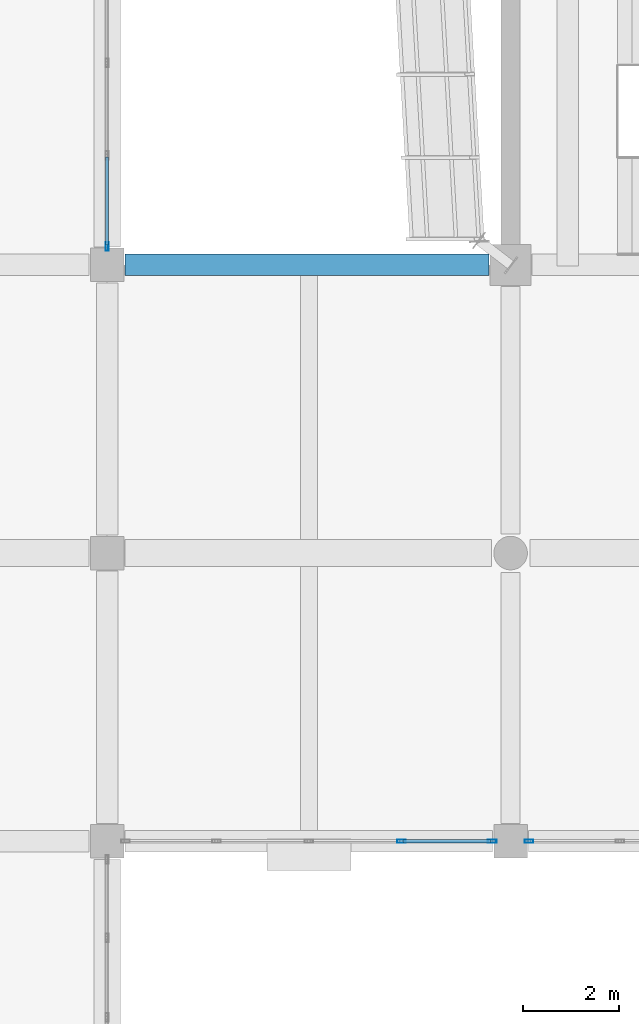
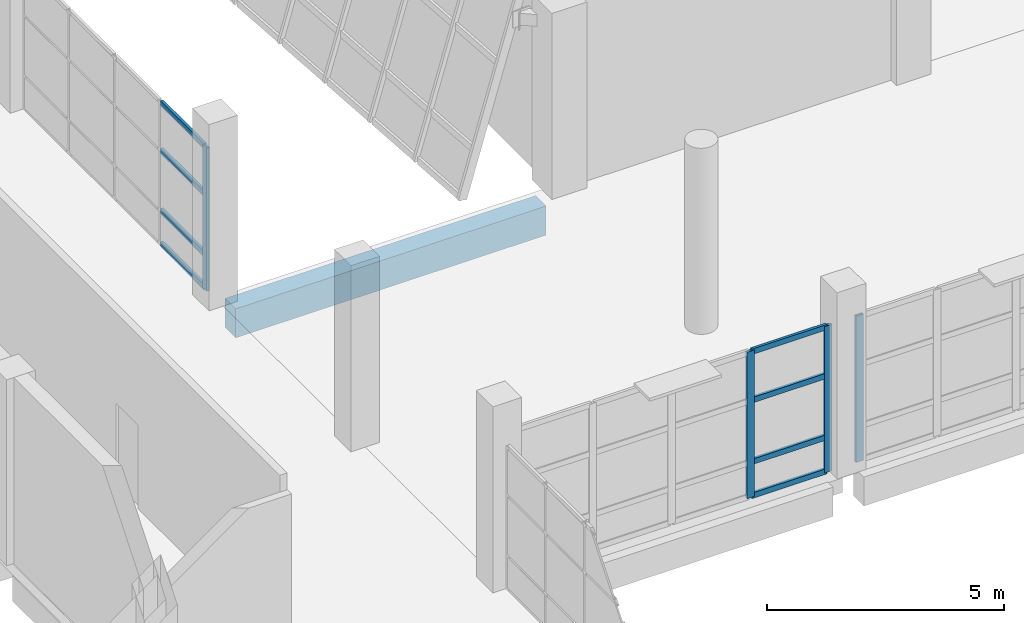
# One storey, part 17 of 91: 12 members, 1 beam, 3 elements without a shape of their own.
"""IFC4 building model written with IfcOpenShell, lengths in metres."""

from ifc_helpers import new_model, si_unit, direction, frame, origin, origin_2d, place, context, subcontext, project, spatial, rectangle, hollow_rectangle, extrude, material, material_profile, profile_set, type_object, element, aggregate, save


model = new_model("IFC4")

# Units and contexts
model_context = context("Model", 3, precision=1e-05, world=origin(), true_north=direction((0.0, 1.0)))
body_context = subcontext(model_context, "Body", "Model", "MODEL_VIEW")
ifc_project = project(units=[si_unit("LENGTHUNIT", "METRE"), si_unit("AREAUNIT", "SQUARE_METRE"), si_unit("VOLUMEUNIT", "CUBIC_METRE"), si_unit("PLANEANGLEUNIT", "RADIAN"), si_unit("MASSUNIT", "GRAM", prefix="KILO")], contexts=[model_context])

# Site, building, storey
site_placement = place(None, origin())
site = spatial("IfcSite", under=ifc_project, at=site_placement, CompositionType="ELEMENT")
building_placement = place(site_placement, origin())
building = spatial("IfcBuilding", under=site, at=building_placement, Name="Pellamere Symphony Hall", CompositionType="ELEMENT")
storey_placement = place(building_placement, frame((0.0, 0.0, 5.39990234375)))
storey = spatial("IfcBuildingStorey", under=building, at=storey_placement, Name="L01", CompositionType="ELEMENT", Elevation=5.39990234375)

# Curtain wall, members
ifc_material_1 = material(Name="Thermally Broken Anodised Aluminium 6063-T6 Curtain Wall", Category="aluminium")
curtain_wall_type_1 = type_object("IfcCurtainWallType", Name="Curtain Wall CW-02 (Winter-Garden South Concourse Curtain Wall)", PredefinedType="NOTDEFINED", material=ifc_material_1)
curtain_wall_1_placement = place(storey_placement, origin())
curtain_wall_1 = element("IfcCurtainWall", 1, at=curtain_wall_1_placement, inside=storey, type_object=curtain_wall_type_1, Name="Winter-Garden South Curtain Wall (L01 Bay 1)", PredefinedType="NOTDEFINED")
ifc_material_2 = material(Name="Anodised Architectural Aluminium 6063-T6", Category="aluminium")
ifc_material_profile_1 = material_profile(ifc_material_2, hollow_rectangle(XDim=0.06494140625, YDim=0.179931640625, WallThickness=0.00390625, at=origin_2d()), Name="ALU-M65X180X4")
ifc_profile_set_1 = profile_set([ifc_material_profile_1], Name="Anodised Architectural Aluminium 6063-T6")
member_type_1 = type_object("IfcMemberType", Name="Curtain Wall Mullion ML-02 ALU-M65X180X4", PredefinedType="MULLION", material=ifc_profile_set_1)
member_1_placement = place(storey_placement, frame((48.125, 18.0, 0.0), z_axis=(0.0, 0.0, 1.0), x_axis=(0.0, 1.0, 0.0)))
member_1 = element("IfcMember", 2, at=member_1_placement, type_object=member_type_1, Name="CW2-066 crystal mullion 4", PredefinedType="MULLION", context=body_context, shape_type="SweptSolid", body=[
    extrude(hollow_rectangle(XDim=0.06494140625, YDim=0.179931640625, WallThickness=0.00390625, at=origin_2d()), origin(), (0.0, 0.0, 1.0), 3.780029296875),
])
member_2_placement = place(storey_placement, frame((50.017578125, 18.0, 0.0), z_axis=(0.0, 0.0, 1.0), x_axis=(0.0, 1.0, 0.0)))
member_2 = element("IfcMember", 3, at=member_2_placement, type_object=member_type_1, Name="CW2-066 crystal mullion 5", PredefinedType="MULLION", context=body_context, shape_type="SweptSolid", body=[
    extrude(hollow_rectangle(XDim=0.06494140625, YDim=0.179931640625, WallThickness=0.00390625, at=origin_2d()), origin(), (0.0, 0.0, 1.0), 3.780029296875),
])

# Curtain wall, member
curtain_wall_2_placement = place(storey_placement, origin())
curtain_wall_2 = element("IfcCurtainWall", 4, at=curtain_wall_2_placement, inside=storey, type_object=curtain_wall_type_1, Name="Winter-Garden South Curtain Wall (L01 Bay 2)", PredefinedType="NOTDEFINED")
member_3_placement = place(storey_placement, frame((50.782470703125, 18.0, 0.0), z_axis=(0.0, 0.0, 1.0), x_axis=(0.0, 1.0, 0.0)))
member_3 = element("IfcMember", 5, at=member_3_placement, type_object=member_type_1, Name="CW2-067 crystal mullion 1", PredefinedType="MULLION", context=body_context, shape_type="SweptSolid", body=[
    extrude(hollow_rectangle(XDim=0.06494140625, YDim=0.179931640625, WallThickness=0.00390625, at=origin_2d()), origin(), (0.0, 0.0, 1.0), 3.780029296875),
])
aggregate(curtain_wall_2, [member_3])

curtain_wall_type_2 = type_object("IfcCurtainWallType", Name="Curtain Wall CW-04 (Chamber Music Lobby Curtain Wall)", PredefinedType="NOTDEFINED", material=ifc_material_1)
curtain_wall_3_placement = place(storey_placement, origin())
curtain_wall_3 = element("IfcCurtainWall", 6, at=curtain_wall_3_placement, inside=storey, type_object=curtain_wall_type_2, Name="Chamber Forecourt East Curtain Wall (L01 Bay 2)", PredefinedType="NOTDEFINED")
member_4_placement = place(storey_placement, frame((42.0, 30.382568359375, 0.0), z_axis=(0.0, 0.0, 1.0), x_axis=(-1.0, 0.0, 0.0)))
member_4 = element("IfcMember", 7, at=member_4_placement, type_object=member_type_1, Name="CW4E-117 crystal mullion 1", PredefinedType="MULLION", context=body_context, shape_type="SweptSolid", body=[
    extrude(hollow_rectangle(XDim=0.06494140625, YDim=0.179931640625, WallThickness=0.00390625, at=origin_2d()), origin(), (0.0, 0.0, 1.0), 3.7001953125),
])

# Member
ifc_material_profile_2 = material_profile(ifc_material_2, hollow_rectangle(XDim=0.06494140625, YDim=0.139892578125, WallThickness=0.00390625, at=origin_2d()), Name="ALU-T65X140X4")
ifc_profile_set_2 = profile_set([ifc_material_profile_2], Name="Anodised Architectural Aluminium 6063-T6")
member_type_2 = type_object("IfcMemberType", Name="Curtain Wall Transom TR-02 ALU-T65X140X4", PredefinedType="USERDEFINED", material=ifc_profile_set_2)
member_5_placement = place(storey_placement, frame((48.157470703125, 18.0, 0.03271484375), z_axis=(1.0, 0.0, 0.0), x_axis=(0.0, 1.0, 0.0)))
member_5 = element("IfcMember", 8, at=member_5_placement, type_object=member_type_2, Name="CW2-066 crystal transom 4.1", ObjectType="TRANSOM", PredefinedType="USERDEFINED", context=body_context, shape_type="SweptSolid", body=[
    extrude(hollow_rectangle(XDim=0.06494140625, YDim=0.139892578125, WallThickness=0.00390625, at=origin_2d()), origin(), (0.0, 0.0, 1.0), 1.82763671875),
])

member_6_placement = place(storey_placement, frame((48.157470703125, 18.0, 0.9072265625), z_axis=(1.0, 0.0, 0.0), x_axis=(0.0, 1.0, 0.0)))
member_6 = element("IfcMember", 9, at=member_6_placement, type_object=member_type_2, Name="CW2-066 crystal transom 4.2", ObjectType="TRANSOM", PredefinedType="USERDEFINED", context=body_context, shape_type="SweptSolid", body=[
    extrude(hollow_rectangle(XDim=0.06494140625, YDim=0.139892578125, WallThickness=0.00390625, at=origin_2d()), origin(), (0.0, 0.0, 1.0), 1.82763671875),
])

member_7_placement = place(storey_placement, frame((48.157470703125, 18.0, 2.494873046875), z_axis=(1.0, 0.0, 0.0), x_axis=(0.0, 1.0, 0.0)))
member_7 = element("IfcMember", 10, at=member_7_placement, type_object=member_type_2, Name="CW2-066 crystal transom 4.3", ObjectType="TRANSOM", PredefinedType="USERDEFINED", context=body_context, shape_type="SweptSolid", body=[
    extrude(hollow_rectangle(XDim=0.06494140625, YDim=0.139892578125, WallThickness=0.00390625, at=origin_2d()), origin(), (0.0, 0.0, 1.0), 1.82763671875),
])

member_8_placement = place(storey_placement, frame((48.157470703125, 18.0, 3.74755859375), z_axis=(1.0, 0.0, 0.0), x_axis=(0.0, 1.0, 0.0)))
member_8 = element("IfcMember", 11, at=member_8_placement, type_object=member_type_2, Name="CW2-066 crystal transom 4.4", ObjectType="TRANSOM", PredefinedType="USERDEFINED", context=body_context, shape_type="SweptSolid", body=[
    extrude(hollow_rectangle(XDim=0.06494140625, YDim=0.139892578125, WallThickness=0.00390625, at=origin_2d()), origin(), (0.0, 0.0, 1.0), 1.82763671875),
])

aggregate(curtain_wall_1, [member_1, member_2, member_5, member_6, member_7, member_8])

member_9_placement = place(storey_placement, frame((42.0, 30.4150390625, 0.03271484375), z_axis=(0.0, 1.0, 0.0), x_axis=(-1.0, 0.0, 0.0)))
member_9 = element("IfcMember", 12, at=member_9_placement, type_object=member_type_2, Name="CW4E-117 crystal transom 1.1", ObjectType="TRANSOM", PredefinedType="USERDEFINED", context=body_context, shape_type="SweptSolid", body=[
    extrude(hollow_rectangle(XDim=0.06494140625, YDim=0.139892578125, WallThickness=0.00390625, at=origin_2d()), origin(), (0.0, 0.0, 1.0), 1.827392578125),
])

member_10_placement = place(storey_placement, frame((42.0, 30.4150390625, 0.88818359375), z_axis=(0.0, 1.0, 0.0), x_axis=(-1.0, 0.0, 0.0)))
member_10 = element("IfcMember", 13, at=member_10_placement, type_object=member_type_2, Name="CW4E-117 crystal transom 1.2", ObjectType="TRANSOM", PredefinedType="USERDEFINED", context=body_context, shape_type="SweptSolid", body=[
    extrude(hollow_rectangle(XDim=0.06494140625, YDim=0.139892578125, WallThickness=0.00390625, at=origin_2d()), origin(), (0.0, 0.0, 1.0), 1.827392578125),
])

member_11_placement = place(storey_placement, frame((42.0, 30.4150390625, 2.442138671875), z_axis=(0.0, 1.0, 0.0), x_axis=(-1.0, 0.0, 0.0)))
member_11 = element("IfcMember", 14, at=member_11_placement, type_object=member_type_2, Name="CW4E-117 crystal transom 1.3", ObjectType="TRANSOM", PredefinedType="USERDEFINED", context=body_context, shape_type="SweptSolid", body=[
    extrude(hollow_rectangle(XDim=0.06494140625, YDim=0.139892578125, WallThickness=0.00390625, at=origin_2d()), origin(), (0.0, 0.0, 1.0), 1.827392578125),
])

member_12_placement = place(storey_placement, frame((42.0, 30.4150390625, 3.66748046875), z_axis=(0.0, 1.0, 0.0), x_axis=(-1.0, 0.0, 0.0)))
member_12 = element("IfcMember", 15, at=member_12_placement, type_object=member_type_2, Name="CW4E-117 crystal transom 1.4", ObjectType="TRANSOM", PredefinedType="USERDEFINED", context=body_context, shape_type="SweptSolid", body=[
    extrude(hollow_rectangle(XDim=0.06494140625, YDim=0.139892578125, WallThickness=0.00390625, at=origin_2d()), origin(), (0.0, 0.0, 1.0), 1.827392578125),
])

aggregate(curtain_wall_3, [member_4, member_9, member_10, member_11, member_12])

# Beam
ifc_material_3 = material(Name="Concrete 40 MPa", Category="concrete")
ifc_material_profile_3 = material_profile(ifc_material_3, rectangle(XDim=0.449951171875, YDim=0.75, at=origin_2d()), Name="RC 450x750")
ifc_profile_set_3 = profile_set([ifc_material_profile_3], Name="Concrete 40 MPa")
beam_type = type_object("IfcBeamType", Name="RC CB-12 450x750", PredefinedType="SPANDREL", material=ifc_profile_set_3)
beam_placement = place(storey_placement, frame((42.375, 30.0, -0.65478515625), z_axis=(1.0, 0.0, 0.0), x_axis=(0.0, 1.0, 0.0)))
element("IfcBeam", 16, at=beam_placement, inside=storey, type_object=beam_type, Name="Girder CB-12-X0579 (L01)", PredefinedType="SPANDREL", context=body_context, shape_type="SweptSolid", body=[
    extrude(rectangle(XDim=0.449951171875, YDim=0.75, at=origin_2d()), origin(), (0.0, 0.0, 1.0), 7.574951171875),
])

save(model, "model.ifc")
